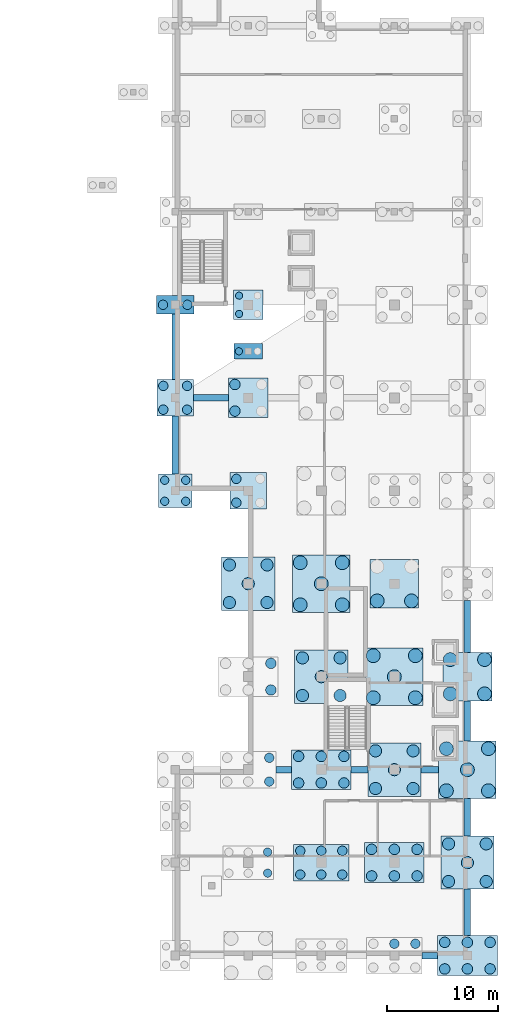
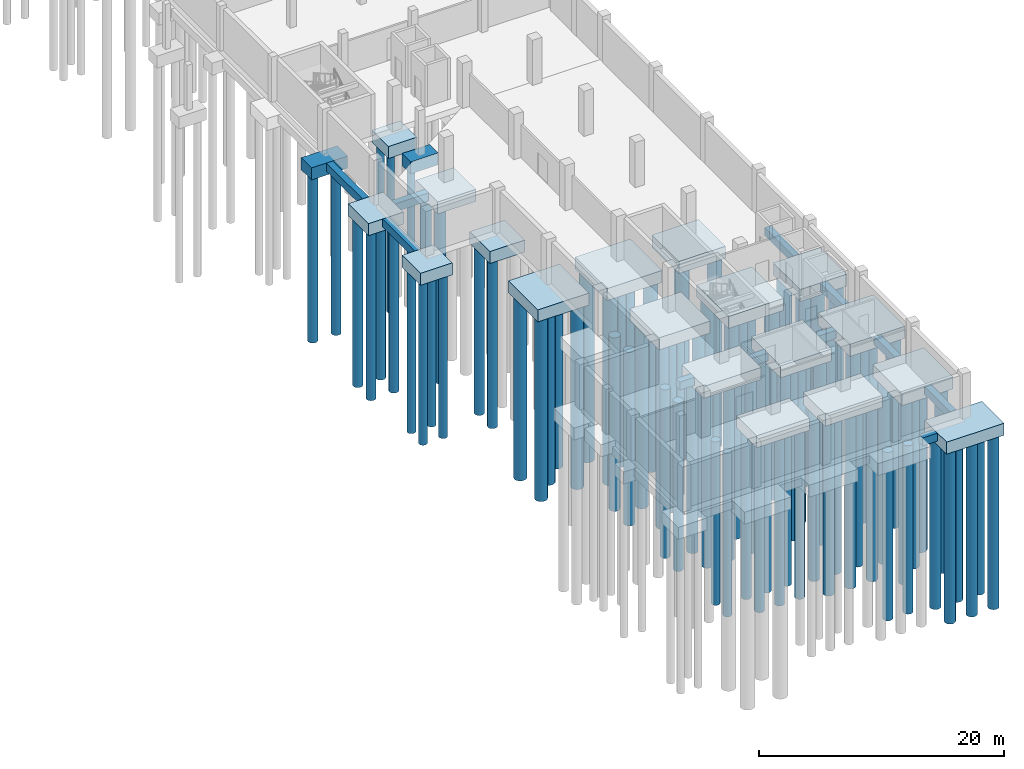
# One storey, part 6 of 25: 90 piles, 31 footings.
"""IFC4 building model written with IfcOpenShell, lengths in metres."""

from ifc_helpers import new_model, si_unit, direction, frame, origin, origin_2d, place, context, subcontext, project, spatial, rectangle, circle, extrude, material, layer, layer_set, material_profile, profile_set, type_object, element, save


model = new_model("IFC4")

# Units and contexts
model_context = context("Model", 3, precision=1e-05, world=origin(), true_north=direction((0.0, 1.0)))
body_context = subcontext(model_context, "Body", "Model", "MODEL_VIEW")
ifc_project = project(units=[si_unit("LENGTHUNIT", "METRE"), si_unit("AREAUNIT", "SQUARE_METRE"), si_unit("VOLUMEUNIT", "CUBIC_METRE"), si_unit("PLANEANGLEUNIT", "RADIAN"), si_unit("MASSUNIT", "GRAM", prefix="KILO")], contexts=[model_context])

# Site, building, storey
site_placement = place(None, origin())
site = spatial("IfcSite", under=ifc_project, at=site_placement, CompositionType="ELEMENT")
building_placement = place(site_placement, origin())
building = spatial("IfcBuilding", under=site, at=building_placement, Name="Qaldarim Faculty of Natural and Applied Sciences", CompositionType="ELEMENT")
storey_placement = place(building_placement, frame((0.0, 0.0, -4.5)))
storey = spatial("IfcBuildingStorey", under=building, at=storey_placement, Name="B01", CompositionType="ELEMENT", Elevation=-4.5)

# Piles
ifc_material = material(Name="Concrete C40/50", Category="concrete")
ifc_material_profile_1 = material_profile(ifc_material, circle(Radius=0.550048828125, at=origin_2d()), Name="PILE-D1100")
ifc_profile_set_1 = profile_set([ifc_material_profile_1], Name="Concrete C40/50")
pile_type_1 = type_object("IfcPileType", Name="BoredPile-D1100-L18300", PredefinedType="BORED", material=ifc_profile_set_1)
for number, where, z_axis, x_axis, name in (
    (1, (156.699951171875, 31.89990234375, -1.699951171875), (0.0, 0.0, -1.0), (1.0, 0.0, 0.0), "Bored pile PL05 1 under FTG-PC13-X25Y05"),
    (2, (156.699951171875, 35.300048828125, -1.699951171875), (0.0, 0.0, -1.0), (1.0, 0.0, 0.0), "Bored pile PL05 2 under FTG-PC13-X25Y05"),
    (3, (158.39990234375, 33.60009765625, -1.699951171875), (0.0, 0.0, -1.0), (1.0, 0.0, 0.0), "Bored pile PL05 3 under FTG-PC13-X25Y05"),
    (4, (160.10009765625, 31.89990234375, -1.699951171875), (0.0, 0.0, -1.0), (1.0, 0.0, 0.0), "Bored pile PL05 4 under FTG-PC13-X25Y05"),
    (5, (160.10009765625, 35.300048828125, -1.699951171875), (0.0, 0.0, -1.0), (1.0, 0.0, 0.0), "Bored pile PL05 5 under FTG-PC13-X25Y05"),
    (6, (163.300048828125, 23.5, -1.699951171875), (0.0, 0.0, -1.0), (1.0, 0.0, 0.0), "Bored pile PL05 1 under FTG-PC13-X26Y04"),
    (7, (163.300048828125, 26.89990234375, -1.699951171875), (0.0, 0.0, -1.0), (1.0, 0.0, 0.0), "Bored pile PL05 2 under FTG-PC13-X26Y04"),
    (8, (165.0, 25.199951171875, -1.699951171875), (0.0, 0.0, -1.0), (1.0, 0.0, 0.0), "Bored pile PL05 3 under FTG-PC13-X26Y04"),
    (9, (166.699951171875, 23.5, -1.699951171875), (0.0, 0.0, -1.0), (1.0, 0.0, 0.0), "Bored pile PL05 4 under FTG-PC13-X26Y04"),
    (10, (166.699951171875, 26.89990234375, -1.699951171875), (0.0, 0.0, -1.0), (1.0, 0.0, 0.0), "Bored pile PL05 5 under FTG-PC13-X26Y04"),
    (11, (169.89990234375, 15.10009765625, -1.699951171875), (0.0, 0.0, -1.0), (1.0, 0.0, 0.0), "Bored pile PL05 1 under FTG-PC13-X27Y03"),
    (12, (169.89990234375, 18.5, -1.699951171875), (0.0, 0.0, -1.0), (1.0, 0.0, 0.0), "Bored pile PL05 2 under FTG-PC13-X27Y03"),
    (13, (171.60009765625, 16.800048828125, -1.699951171875), (0.0, 0.0, -1.0), (1.0, 0.0, 0.0), "Bored pile PL05 3 under FTG-PC13-X27Y03"),
    (14, (173.300048828125, 15.10009765625, -1.699951171875), (0.0, 0.0, -1.0), (1.0, 0.0, 0.0), "Bored pile PL05 4 under FTG-PC13-X27Y03"),
    (15, (173.300048828125, 18.5, -1.699951171875), (0.0, 0.0, -1.0), (1.0, 0.0, 0.0), "Bored pile PL05 5 under FTG-PC13-X27Y03"),
    (16, (176.5, 6.699951171875, -1.699951171875), (0.0, 0.0, -1.0), (1.0, 0.0, 0.0), "Bored pile PL05 1 under FTG-PC13-X28Y02"),
    (17, (176.5, 10.10009765625, -1.699951171875), (0.0, 0.0, -1.0), (1.0, 0.0, 0.0), "Bored pile PL05 2 under FTG-PC13-X28Y02"),
    (18, (178.199951171875, 8.39990234375, -1.699951171875), (0.0, 0.0, -1.0), (1.0, 0.0, 0.0), "Bored pile PL05 3 under FTG-PC13-X28Y02"),
    (19, (179.89990234375, 6.699951171875, -1.699951171875), (0.0, 0.0, -1.0), (1.0, 0.0, 0.0), "Bored pile PL05 4 under FTG-PC13-X28Y02"),
    (20, (179.89990234375, 10.10009765625, -1.699951171875), (0.0, 0.0, -1.0), (1.0, 0.0, 0.0), "Bored pile PL05 5 under FTG-PC13-X28Y02"),
):
    element("IfcPile", number, at=place(storey_placement, frame(where, z_axis=z_axis, x_axis=x_axis)), inside=storey, type_object=pile_type_1, Name=name, PredefinedType="BORED", context=body_context, shape_type="SweptSolid", body=[
        extrude(circle(Radius=0.550048828125, at=origin_2d()), origin(), (0.0, 0.0, 1.0), 18.300048828125),
    ])
ifc_material_profile_2 = material_profile(ifc_material, circle(Radius=0.625, at=origin_2d()), Name="PILE-D1250")
ifc_profile_set_2 = profile_set([ifc_material_profile_2], Name="Concrete C40/50")
pile_type_2 = type_object("IfcPileType", Name="BoredPile-D1250-L18800", PredefinedType="BORED", material=ifc_profile_set_2)
for number, where, z_axis, x_axis, name in (
    (21, (163.10009765625, 31.699951171875, -1.699951171875), (0.0, 0.0, -1.0), (1.0, 0.0, 0.0), "Bored pile PL06 1 under FTG-PC14-X26Y05"),
    (22, (163.10009765625, 35.5, -1.699951171875), (0.0, 0.0, -1.0), (1.0, 0.0, 0.0), "Bored pile PL06 2 under FTG-PC14-X26Y05"),
    (23, (165.0, 33.60009765625, -1.699951171875), (0.0, 0.0, -1.0), (1.0, 0.0, 0.0), "Bored pile PL06 3 under FTG-PC14-X26Y05"),
    (24, (166.89990234375, 31.699951171875, -1.699951171875), (0.0, 0.0, -1.0), (1.0, 0.0, 0.0), "Bored pile PL06 4 under FTG-PC14-X26Y05"),
    (25, (166.89990234375, 35.5, -1.699951171875), (0.0, 0.0, -1.0), (1.0, 0.0, 0.0), "Bored pile PL06 5 under FTG-PC14-X26Y05"),
    (26, (169.699951171875, 23.300048828125, -1.699951171875), (0.0, 0.0, -1.0), (1.0, 0.0, 0.0), "Bored pile PL06 1 under FTG-PC14-X27Y04"),
    (27, (169.699951171875, 27.10009765625, -1.699951171875), (0.0, 0.0, -1.0), (1.0, 0.0, 0.0), "Bored pile PL06 2 under FTG-PC14-X27Y04"),
    (28, (171.60009765625, 25.199951171875, -1.699951171875), (0.0, 0.0, -1.0), (1.0, 0.0, 0.0), "Bored pile PL06 3 under FTG-PC14-X27Y04"),
    (29, (173.5, 23.300048828125, -1.699951171875), (0.0, 0.0, -1.0), (1.0, 0.0, 0.0), "Bored pile PL06 4 under FTG-PC14-X27Y04"),
    (30, (173.5, 27.10009765625, -1.699951171875), (0.0, 0.0, -1.0), (1.0, 0.0, 0.0), "Bored pile PL06 5 under FTG-PC14-X27Y04"),
    (31, (170.050048828125, 32.050048828125, -1.699951171875), (0.0, 0.0, -1.0), (1.0, 0.0, 0.0), "Bored pile PL06 1 under FTG-PC09-X27Y05"),
    (32, (173.14990234375, 32.050048828125, -1.699951171875), (0.0, 0.0, -1.0), (1.0, 0.0, 0.0), "Bored pile PL06 3 under FTG-PC09-X27Y05"),
    (33, (176.300048828125, 14.89990234375, -1.699951171875), (0.0, 0.0, -1.0), (1.0, 0.0, 0.0), "Bored pile PL06 1 under FTG-PC14-X28Y03"),
    (34, (176.300048828125, 18.699951171875, -1.699951171875), (0.0, 0.0, -1.0), (1.0, 0.0, 0.0), "Bored pile PL06 2 under FTG-PC14-X28Y03"),
    (35, (178.199951171875, 16.800048828125, -1.699951171875), (0.0, 0.0, -1.0), (1.0, 0.0, 0.0), "Bored pile PL06 3 under FTG-PC14-X28Y03"),
    (36, (180.10009765625, 14.89990234375, -1.699951171875), (0.0, 0.0, -1.0), (1.0, 0.0, 0.0), "Bored pile PL06 4 under FTG-PC14-X28Y03"),
    (37, (180.10009765625, 18.699951171875, -1.699951171875), (0.0, 0.0, -1.0), (1.0, 0.0, 0.0), "Bored pile PL06 5 under FTG-PC14-X28Y03"),
    (38, (176.64990234375, 23.64990234375, -1.699951171875), (0.0, 0.0, -1.0), (1.0, 0.0, 0.0), "Bored pile PL06 1 under FTG-PC09-X28Y04"),
    (39, (176.64990234375, 26.75, -1.699951171875), (0.0, 0.0, -1.0), (1.0, 0.0, 0.0), "Bored pile PL06 2 under FTG-PC09-X28Y04"),
    (40, (179.75, 23.64990234375, -1.699951171875), (0.0, 0.0, -1.0), (1.0, 0.0, 0.0), "Bored pile PL06 3 under FTG-PC09-X28Y04"),
    (41, (179.75, 26.75, -1.699951171875), (0.0, 0.0, -1.0), (1.0, 0.0, 0.0), "Bored pile PL06 4 under FTG-PC09-X28Y04"),
):
    element("IfcPile", number, at=place(storey_placement, frame(where, z_axis=z_axis, x_axis=x_axis)), inside=storey, type_object=pile_type_2, Name=name, PredefinedType="BORED", context=body_context, shape_type="SweptSolid", body=[
        extrude(circle(Radius=0.625, at=origin_2d()), origin(), (0.0, 0.0, 1.0), 18.800048828125),
    ])
ifc_material_profile_3 = material_profile(ifc_material, circle(Radius=0.324951171875, at=origin_2d()), Name="PILE-D650")
ifc_profile_set_3 = profile_set([ifc_material_profile_3], Name="Concrete C40/50")
pile_type_3 = type_object("IfcPileType", Name="BoredPile-D650-L15800", PredefinedType="BORED", material=ifc_profile_set_3)
for number, where, z_axis, x_axis, name in (
    (42, (157.574951171875, 57.97509765625, -1.699951171875), (0.0, 0.0, -1.0), (1.0, 0.0, 0.0), "Bored pile PL01 1 under FTG-PC04-X25Y08"),
    (43, (157.574951171875, 59.625, -1.699951171875), (0.0, 0.0, -1.0), (1.0, 0.0, 0.0), "Bored pile PL01 2 under FTG-PC04-X25Y08"),
    (44, (157.550048828125, 54.60009765625, -1.10009765625), (0.0, 0.0, -1.0), (1.0, 0.0, 0.0), "Bored pile PL01 1 under FTG-SPC-V5-NW6"),
):
    element("IfcPile", number, at=place(storey_placement, frame(where, z_axis=z_axis, x_axis=x_axis)), inside=storey, type_object=pile_type_3, Name=name, PredefinedType="BORED", context=body_context, shape_type="SweptSolid", body=[
        extrude(circle(Radius=0.324951171875, at=origin_2d()), origin(), (0.0, 0.0, 1.0), 15.800048828125),
    ])
ifc_material_profile_4 = material_profile(ifc_material, circle(Radius=0.375, at=origin_2d()), Name="PILE-D750")
ifc_profile_set_4 = profile_set([ifc_material_profile_4], Name="Concrete C40/50")
pile_type_4 = type_object("IfcPileType", Name="BoredPile-D750-L16300", PredefinedType="BORED", material=ifc_profile_set_4)
for number, where, z_axis, x_axis, name in (
    (45, (150.85009765625, 41.050048828125, -1.699951171875), (0.0, 0.0, -1.0), (1.0, 0.0, 0.0), "Bored pile PL02 1 under FTG-PC05-X24Y06"),
    (46, (150.85009765625, 42.949951171875, -1.699951171875), (0.0, 0.0, -1.0), (1.0, 0.0, 0.0), "Bored pile PL02 2 under FTG-PC05-X24Y06"),
    (47, (152.75, 41.050048828125, -1.699951171875), (0.0, 0.0, -1.0), (1.0, 0.0, 0.0), "Bored pile PL02 3 under FTG-PC05-X24Y06"),
    (48, (152.75, 42.949951171875, -1.699951171875), (0.0, 0.0, -1.0), (1.0, 0.0, 0.0), "Bored pile PL02 4 under FTG-PC05-X24Y06"),
    (49, (160.14990234375, 7.449951171875, -1.699951171875), (0.0, 0.0, -1.0), (1.0, 0.0, 0.0), "Bored pile PL02 3 under FTG-PC10-X25Y02"),
    (50, (160.14990234375, 9.35009765625, -1.699951171875), (0.0, 0.0, -1.0), (1.0, 0.0, 0.0), "Bored pile PL02 6 under FTG-PC10-X25Y02"),
):
    element("IfcPile", number, at=place(storey_placement, frame(where, z_axis=z_axis, x_axis=x_axis)), inside=storey, type_object=pile_type_4, Name=name, PredefinedType="BORED", context=body_context, shape_type="SweptSolid", body=[
        extrude(circle(Radius=0.375, at=origin_2d()), origin(), (0.0, 0.0, 1.0), 16.300048828125),
    ])
ifc_material_profile_5 = material_profile(ifc_material, circle(Radius=0.425048828125, at=origin_2d()), Name="PILE-D850")
ifc_profile_set_5 = profile_set([ifc_material_profile_5], Name="Concrete C40/50")
pile_type_5 = type_object("IfcPileType", Name="BoredPile-D850-L16800", PredefinedType="BORED", material=ifc_profile_set_5)
for number, where, z_axis, x_axis, name in (
    (51, (150.72509765625, 49.324951171875, -1.699951171875), (0.0, 0.0, -1.0), (1.0, 0.0, 0.0), "Bored pile PL03 1 under FTG-PC06-X24Y07"),
    (52, (150.72509765625, 51.47509765625, -1.699951171875), (0.0, 0.0, -1.0), (1.0, 0.0, 0.0), "Bored pile PL03 2 under FTG-PC06-X24Y07"),
    (53, (152.875, 49.324951171875, -1.699951171875), (0.0, 0.0, -1.0), (1.0, 0.0, 0.0), "Bored pile PL03 3 under FTG-PC06-X24Y07"),
    (54, (152.875, 51.47509765625, -1.699951171875), (0.0, 0.0, -1.0), (1.0, 0.0, 0.0), "Bored pile PL03 4 under FTG-PC06-X24Y07"),
    (55, (150.699951171875, 58.800048828125, -1.699951171875), (0.0, 0.0, -1.0), (1.0, 0.0, 0.0), "Bored pile PL03 1 under FTG-PC03-X24Y08"),
    (56, (152.89990234375, 58.800048828125, -1.699951171875), (0.0, 0.0, -1.0), (1.0, 0.0, 0.0), "Bored pile PL03 2 under FTG-PC03-X24Y08"),
    (57, (160.300048828125, 15.72509765625, -1.699951171875), (0.0, 0.0, -1.0), (1.0, 0.0, 0.0), "Bored pile PL03 3 under FTG-PC11-X25Y03"),
    (58, (160.300048828125, 17.875, -1.699951171875), (0.0, 0.0, -1.0), (1.0, 0.0, 0.0), "Bored pile PL03 6 under FTG-PC11-X25Y03"),
    (59, (157.324951171875, 40.925048828125, -1.699951171875), (0.0, 0.0, -1.0), (1.0, 0.0, 0.0), "Bored pile PL03 1 under FTG-PC06-X25Y06"),
    (60, (157.324951171875, 43.074951171875, -1.699951171875), (0.0, 0.0, -1.0), (1.0, 0.0, 0.0), "Bored pile PL03 2 under FTG-PC06-X25Y06"),
    (61, (163.10009765625, 7.324951171875, -1.699951171875), (0.0, 0.0, -1.0), (1.0, 0.0, 0.0), "Bored pile PL03 1 under FTG-PC11-X26Y02"),
    (62, (165.0, 7.324951171875, -1.699951171875), (0.0, 0.0, -1.0), (1.0, 0.0, 0.0), "Bored pile PL03 2 under FTG-PC11-X26Y02"),
    (63, (166.89990234375, 7.324951171875, -1.699951171875), (0.0, 0.0, -1.0), (1.0, 0.0, 0.0), "Bored pile PL03 3 under FTG-PC11-X26Y02"),
    (64, (163.10009765625, 9.47509765625, -1.699951171875), (0.0, 0.0, -1.0), (1.0, 0.0, 0.0), "Bored pile PL03 4 under FTG-PC11-X26Y02"),
    (65, (165.0, 9.47509765625, -1.699951171875), (0.0, 0.0, -1.0), (1.0, 0.0, 0.0), "Bored pile PL03 5 under FTG-PC11-X26Y02"),
    (66, (166.89990234375, 9.47509765625, -1.699951171875), (0.0, 0.0, -1.0), (1.0, 0.0, 0.0), "Bored pile PL03 6 under FTG-PC11-X26Y02"),
    (67, (171.60009765625, 1.074951171875, -1.699951171875), (0.0, 0.0, -1.0), (1.0, 0.0, 0.0), "Bored pile PL03 5 under FTG-PC11-X27Y01"),
    (68, (173.5, 1.074951171875, -1.699951171875), (0.0, 0.0, -1.0), (1.0, 0.0, 0.0), "Bored pile PL03 6 under FTG-PC11-X27Y01"),
):
    element("IfcPile", number, at=place(storey_placement, frame(where, z_axis=z_axis, x_axis=x_axis)), inside=storey, type_object=pile_type_5, Name=name, PredefinedType="BORED", context=body_context, shape_type="SweptSolid", body=[
        extrude(circle(Radius=0.425048828125, at=origin_2d()), origin(), (0.0, 0.0, 1.0), 16.800048828125),
    ])
ifc_material_profile_6 = material_profile(ifc_material, circle(Radius=0.47509765625, at=origin_2d()), Name="PILE-D950")
ifc_profile_set_6 = profile_set([ifc_material_profile_6], Name="Concrete C40/50")
pile_type_6 = type_object("IfcPileType", Name="BoredPile-D950-L17300", PredefinedType="BORED", material=ifc_profile_set_6)
for number, where, z_axis, x_axis, name in (
    (69, (160.449951171875, 24.0, -1.699951171875), (0.0, 0.0, -1.0), (1.0, 0.0, 0.0), "Bored pile PL04 3 under FTG-PC12-X25Y04"),
    (70, (160.449951171875, 26.39990234375, -1.699951171875), (0.0, 0.0, -1.0), (1.0, 0.0, 0.0), "Bored pile PL04 6 under FTG-PC12-X25Y04"),
    (71, (157.199951171875, 49.199951171875, -1.699951171875), (0.0, 0.0, -1.0), (1.0, 0.0, 0.0), "Bored pile PL04 1 under FTG-PC07-X25Y07"),
    (72, (157.199951171875, 51.60009765625, -1.699951171875), (0.0, 0.0, -1.0), (1.0, 0.0, 0.0), "Bored pile PL04 2 under FTG-PC07-X25Y07"),
    (73, (162.949951171875, 15.60009765625, -1.699951171875), (0.0, 0.0, -1.0), (1.0, 0.0, 0.0), "Bored pile PL04 1 under FTG-PC12-X26Y03"),
    (74, (165.0, 15.60009765625, -1.699951171875), (0.0, 0.0, -1.0), (1.0, 0.0, 0.0), "Bored pile PL04 2 under FTG-PC12-X26Y03"),
    (75, (167.050048828125, 15.60009765625, -1.699951171875), (0.0, 0.0, -1.0), (1.0, 0.0, 0.0), "Bored pile PL04 3 under FTG-PC12-X26Y03"),
    (76, (162.949951171875, 18.0, -1.699951171875), (0.0, 0.0, -1.0), (1.0, 0.0, 0.0), "Bored pile PL04 4 under FTG-PC12-X26Y03"),
    (77, (165.0, 18.0, -1.699951171875), (0.0, 0.0, -1.0), (1.0, 0.0, 0.0), "Bored pile PL04 5 under FTG-PC12-X26Y03"),
    (78, (167.050048828125, 18.0, -1.699951171875), (0.0, 0.0, -1.0), (1.0, 0.0, 0.0), "Bored pile PL04 6 under FTG-PC12-X26Y03"),
    (79, (169.550048828125, 7.199951171875, -1.699951171875), (0.0, 0.0, -1.0), (1.0, 0.0, 0.0), "Bored pile PL04 1 under FTG-PC12-X27Y02"),
    (80, (171.60009765625, 7.199951171875, -1.699951171875), (0.0, 0.0, -1.0), (1.0, 0.0, 0.0), "Bored pile PL04 2 under FTG-PC12-X27Y02"),
    (81, (173.64990234375, 7.199951171875, -1.699951171875), (0.0, 0.0, -1.0), (1.0, 0.0, 0.0), "Bored pile PL04 3 under FTG-PC12-X27Y02"),
    (82, (169.550048828125, 9.60009765625, -1.699951171875), (0.0, 0.0, -1.0), (1.0, 0.0, 0.0), "Bored pile PL04 4 under FTG-PC12-X27Y02"),
    (83, (171.60009765625, 9.60009765625, -1.699951171875), (0.0, 0.0, -1.0), (1.0, 0.0, 0.0), "Bored pile PL04 5 under FTG-PC12-X27Y02"),
    (84, (173.64990234375, 9.60009765625, -1.699951171875), (0.0, 0.0, -1.0), (1.0, 0.0, 0.0), "Bored pile PL04 6 under FTG-PC12-X27Y02"),
    (85, (176.14990234375, -1.199951171875, -1.699951171875), (0.0, 0.0, -1.0), (1.0, 0.0, 0.0), "Bored pile PL04 1 under FTG-PC12-X28Y01"),
    (86, (178.199951171875, -1.199951171875, -1.699951171875), (0.0, 0.0, -1.0), (1.0, 0.0, 0.0), "Bored pile PL04 2 under FTG-PC12-X28Y01"),
    (87, (180.25, -1.199951171875, -1.699951171875), (0.0, 0.0, -1.0), (1.0, 0.0, 0.0), "Bored pile PL04 3 under FTG-PC12-X28Y01"),
    (88, (176.14990234375, 1.199951171875, -1.699951171875), (0.0, 0.0, -1.0), (1.0, 0.0, 0.0), "Bored pile PL04 4 under FTG-PC12-X28Y01"),
    (89, (178.199951171875, 1.199951171875, -1.699951171875), (0.0, 0.0, -1.0), (1.0, 0.0, 0.0), "Bored pile PL04 5 under FTG-PC12-X28Y01"),
    (90, (180.25, 1.199951171875, -1.699951171875), (0.0, 0.0, -1.0), (1.0, 0.0, 0.0), "Bored pile PL04 6 under FTG-PC12-X28Y01"),
):
    element("IfcPile", number, at=place(storey_placement, frame(where, z_axis=z_axis, x_axis=x_axis)), inside=storey, type_object=pile_type_6, Name=name, PredefinedType="BORED", context=body_context, shape_type="SweptSolid", body=[
        extrude(circle(Radius=0.47509765625, at=origin_2d()), origin(), (0.0, 0.0, 1.0), 17.300048828125),
    ])

# Footings
ifc_layer_1 = layer(ifc_material, 1.199951171875)
ifc_layer_set_1 = layer_set([ifc_layer_1], Name="Concrete C40/50")
footing_type_1 = type_object("IfcFootingType", Name="FoundationCap-2600x1400x1200-2P650", PredefinedType="PILE_CAP", material=ifc_layer_set_1)
footing_1_placement = place(storey_placement, frame((158.39990234375, 54.60009765625, -1.2001953125), z_axis=(0.0, 0.0, 1.0), x_axis=(1.0, 0.0, 0.0)))
element("IfcFooting", 91, at=footing_1_placement, inside=storey, type_object=footing_type_1, Name="Pile cap V5-NW6", PredefinedType="PILE_CAP", context=body_context, shape_type="SweptSolid", body=[
    extrude(rectangle(XDim=2.60009765625, YDim=1.39990234375, at=origin_2d()), origin(), (0.0, 0.0, 1.0), 1.199951171875),
])
ifc_layer_2 = layer(ifc_material, 1.199951171875)
ifc_layer_set_2 = layer_set([ifc_layer_2], Name="Concrete C40/50")
footing_type_2 = type_object("IfcFootingType", Name="FoundationCap-2700x2700x1200-4P650", PredefinedType="PILE_CAP", material=ifc_layer_set_2)
footing_2_placement = place(storey_placement, frame((158.39990234375, 58.800048828125, -1.7998046875), z_axis=(0.0, 0.0, 1.0), x_axis=(1.0, 0.0, 0.0)))
element("IfcFooting", 92, at=footing_2_placement, inside=storey, type_object=footing_type_2, Name="Pile cap PC04 at X25/Y08", PredefinedType="PILE_CAP", context=body_context, shape_type="SweptSolid", body=[
    extrude(rectangle(XDim=2.699951171875, YDim=2.699951171875, at=origin_2d()), origin(), (0.0, 0.0, 1.0), 1.199951171875),
])
ifc_layer_3 = layer(ifc_material, 1.199951171875)
ifc_layer_set_3 = layer_set([ifc_layer_3], Name="Concrete C40/50")
footing_type_3 = type_object("IfcFootingType", Name="FoundationCap-3000x3000x1200-4P750", PredefinedType="PILE_CAP", material=ifc_layer_set_3)
footing_3_placement = place(storey_placement, frame((151.800048828125, 42.0, -1.7998046875), z_axis=(0.0, 0.0, 1.0), x_axis=(1.0, 0.0, 0.0)))
element("IfcFooting", 93, at=footing_3_placement, inside=storey, type_object=footing_type_3, Name="Pile cap PC05 at X24/Y06", PredefinedType="PILE_CAP", context=body_context, shape_type="SweptSolid", body=[
    extrude(rectangle(XDim=3.0, YDim=3.0, at=origin_2d()), origin(), (0.0, 0.0, 1.0), 1.199951171875),
])
ifc_layer_4 = layer(ifc_material, 1.199951171875)
ifc_layer_set_4 = layer_set([ifc_layer_4], Name="Concrete C40/50")
footing_type_4 = type_object("IfcFootingType", Name="FoundationCap-3300x3300x1200-4P850", PredefinedType="PILE_CAP", material=ifc_layer_set_4)
for number, where, z_axis, x_axis, name in (
    (94, (151.800048828125, 50.39990234375, -1.7998046875), (0.0, 0.0, 1.0), (1.0, 0.0, 0.0), "Pile cap PC06 at X24/Y07"),
    (95, (158.39990234375, 42.0, -1.7998046875), (0.0, 0.0, 1.0), (1.0, 0.0, 0.0), "Pile cap PC06 at X25/Y06"),
):
    element("IfcFooting", number, at=place(storey_placement, frame(where, z_axis=z_axis, x_axis=x_axis)), inside=storey, type_object=footing_type_4, Name=name, PredefinedType="PILE_CAP", context=body_context, shape_type="SweptSolid", body=[
        extrude(rectangle(XDim=3.300048828125, YDim=3.300048828125, at=origin_2d()), origin(), (0.0, 0.0, 1.0), 1.199951171875),
    ])
ifc_layer_5 = layer(ifc_material, 1.199951171875)
ifc_layer_set_5 = layer_set([ifc_layer_5], Name="Concrete C40/50")
footing_type_5 = type_object("IfcFootingType", Name="FoundationCap-3400x1700x1200-2P850", PredefinedType="PILE_CAP", material=ifc_layer_set_5)
footing_4_placement = place(storey_placement, frame((151.800048828125, 58.800048828125, -1.7998046875), z_axis=(0.0, 0.0, 1.0), x_axis=(1.0, 0.0, 0.0)))
element("IfcFooting", 96, at=footing_4_placement, inside=storey, type_object=footing_type_5, Name="Pile cap PC03 at X24/Y08", PredefinedType="PILE_CAP", context=body_context, shape_type="SweptSolid", body=[
    extrude(rectangle(XDim=3.39990234375, YDim=1.699951171875, at=origin_2d()), origin(), (0.0, 0.0, 1.0), 1.199951171875),
])
ifc_layer_6 = layer(ifc_material, 1.199951171875)
ifc_layer_set_6 = layer_set([ifc_layer_6], Name="Concrete C40/50")
footing_type_6 = type_object("IfcFootingType", Name="FoundationCap-3600x3600x1200-4P950", PredefinedType="PILE_CAP", material=ifc_layer_set_6)
footing_5_placement = place(storey_placement, frame((158.39990234375, 50.39990234375, -1.7998046875), z_axis=(0.0, 0.0, 1.0), x_axis=(1.0, 0.0, 0.0)))
element("IfcFooting", 97, at=footing_5_placement, inside=storey, type_object=footing_type_6, Name="Pile cap PC07 at X25/Y07", PredefinedType="PILE_CAP", context=body_context, shape_type="SweptSolid", body=[
    extrude(rectangle(XDim=3.60009765625, YDim=3.60009765625, at=origin_2d()), origin(), (0.0, 0.0, 1.0), 1.199951171875),
])
ifc_layer_7 = layer(ifc_material, 1.199951171875)
ifc_layer_set_7 = layer_set([ifc_layer_7], Name="Concrete C40/50")
footing_type_7 = type_object("IfcFootingType", Name="FoundationCap-4400x4400x1200-4P1250", PredefinedType="PILE_CAP", material=ifc_layer_set_7)
for number, where, z_axis, x_axis, name in (
    (98, (171.60009765625, 33.60009765625, -1.7998046875), (0.0, 0.0, 1.0), (1.0, 0.0, 0.0), "Pile cap PC09 at X27/Y05"),
    (99, (178.199951171875, 25.199951171875, -1.7998046875), (0.0, 0.0, 1.0), (1.0, 0.0, 0.0), "Pile cap PC09 at X28/Y04"),
):
    element("IfcFooting", number, at=place(storey_placement, frame(where, z_axis=z_axis, x_axis=x_axis)), inside=storey, type_object=footing_type_7, Name=name, PredefinedType="PILE_CAP", context=body_context, shape_type="SweptSolid", body=[
        extrude(rectangle(XDim=4.39990234375, YDim=4.39990234375, at=origin_2d()), origin(), (0.0, 0.0, 1.0), 1.199951171875),
    ])
ifc_layer_8 = layer(ifc_material, 1.199951171875)
ifc_layer_set_8 = layer_set([ifc_layer_8], Name="Concrete C40/50")
footing_type_8 = type_object("IfcFootingType", Name="FoundationCap-4800x4800x1200-5P1100", PredefinedType="PILE_CAP", material=ifc_layer_set_8)
for number, where, z_axis, x_axis, name in (
    (100, (158.39990234375, 33.60009765625, -1.7998046875), (0.0, 0.0, 1.0), (1.0, 0.0, 0.0), "Pile cap PC13 at X25/Y05"),
    (101, (165.0, 25.199951171875, -1.7998046875), (0.0, 0.0, 1.0), (1.0, 0.0, 0.0), "Pile cap PC13 at X26/Y04"),
    (102, (171.60009765625, 16.800048828125, -1.7998046875), (0.0, 0.0, 1.0), (1.0, 0.0, 0.0), "Pile cap PC13 at X27/Y03"),
    (103, (178.199951171875, 8.39990234375, -1.7998046875), (0.0, 0.0, 1.0), (1.0, 0.0, 0.0), "Pile cap PC13 at X28/Y02"),
):
    element("IfcFooting", number, at=place(storey_placement, frame(where, z_axis=z_axis, x_axis=x_axis)), inside=storey, type_object=footing_type_8, Name=name, PredefinedType="PILE_CAP", context=body_context, shape_type="SweptSolid", body=[
        extrude(rectangle(XDim=4.800048828125, YDim=4.800048828125, at=origin_2d()), origin(), (0.0, 0.0, 1.0), 1.199951171875),
    ])
ifc_layer_9 = layer(ifc_material, 1.199951171875)
ifc_layer_set_9 = layer_set([ifc_layer_9], Name="Concrete C40/50")
footing_type_9 = type_object("IfcFootingType", Name="FoundationCap-5000x3300x1200-6P850", PredefinedType="PILE_CAP", material=ifc_layer_set_9)
footing_6_placement = place(storey_placement, frame((165.0, 8.39990234375, -1.7998046875), z_axis=(0.0, 0.0, 1.0), x_axis=(1.0, 0.0, 0.0)))
element("IfcFooting", 104, at=footing_6_placement, inside=storey, type_object=footing_type_9, Name="Pile cap PC11 at X26/Y02", PredefinedType="PILE_CAP", context=body_context, shape_type="SweptSolid", body=[
    extrude(rectangle(XDim=5.0, YDim=3.300048828125, at=origin_2d()), origin(), (0.0, 0.0, 1.0), 1.199951171875),
])
ifc_layer_10 = layer(ifc_material, 1.199951171875)
ifc_layer_set_10 = layer_set([ifc_layer_10], Name="Concrete C40/50")
footing_type_10 = type_object("IfcFootingType", Name="FoundationCap-5200x5200x1200-5P1250", PredefinedType="PILE_CAP", material=ifc_layer_set_10)
for number, where, z_axis, x_axis, name in (
    (105, (165.0, 33.60009765625, -1.7998046875), (0.0, 0.0, 1.0), (1.0, 0.0, 0.0), "Pile cap PC14 at X26/Y05"),
    (106, (171.60009765625, 25.199951171875, -1.7998046875), (0.0, 0.0, 1.0), (1.0, 0.0, 0.0), "Pile cap PC14 at X27/Y04"),
    (107, (178.199951171875, 16.800048828125, -1.7998046875), (0.0, 0.0, 1.0), (1.0, 0.0, 0.0), "Pile cap PC14 at X28/Y03"),
):
    element("IfcFooting", number, at=place(storey_placement, frame(where, z_axis=z_axis, x_axis=x_axis)), inside=storey, type_object=footing_type_10, Name=name, PredefinedType="PILE_CAP", context=body_context, shape_type="SweptSolid", body=[
        extrude(rectangle(XDim=5.199951171875, YDim=5.199951171875, at=origin_2d()), origin(), (0.0, 0.0, 1.0), 1.199951171875),
    ])
ifc_layer_11 = layer(ifc_material, 1.199951171875)
ifc_layer_set_11 = layer_set([ifc_layer_11], Name="Concrete C40/50")
footing_type_11 = type_object("IfcFootingType", Name="FoundationCap-5400x3600x1200-6P950", PredefinedType="PILE_CAP", material=ifc_layer_set_11)
for number, where, z_axis, x_axis, name in (
    (108, (165.0, 16.800048828125, -1.7998046875), (0.0, 0.0, 1.0), (1.0, 0.0, 0.0), "Pile cap PC12 at X26/Y03"),
    (109, (171.60009765625, 8.39990234375, -1.7998046875), (0.0, 0.0, 1.0), (1.0, 0.0, 0.0), "Pile cap PC12 at X27/Y02"),
    (110, (178.199951171875, 0.0, -1.7998046875), (0.0, 0.0, 1.0), (1.0, 0.0, 0.0), "Pile cap PC12 at X28/Y01"),
):
    element("IfcFooting", number, at=place(storey_placement, frame(where, z_axis=z_axis, x_axis=x_axis)), inside=storey, type_object=footing_type_11, Name=name, PredefinedType="PILE_CAP", context=body_context, shape_type="SweptSolid", body=[
        extrude(rectangle(XDim=5.39990234375, YDim=3.60009765625, at=origin_2d()), origin(), (0.0, 0.0, 1.0), 1.199951171875),
    ])
ifc_layer_12 = layer(ifc_material, 0.800048828125)
ifc_layer_set_12 = layer_set([ifc_layer_12], Name="Concrete C40/50")
footing_type_12 = type_object("IfcFootingType", Name="FoundationTie-1400x600x800", PredefinedType="STRIP_FOOTING", material=ifc_layer_set_12)
for number, where, z_axis, x_axis, name in (
    (111, (161.60009765625, 16.800048828125, -1.39990234375), (0.0, 0.0, 1.0), (1.0, 0.0, 0.0), "Strip footing SF23 X25Y03"),
    (112, (174.800048828125, 0.0, -1.39990234375), (0.0, 0.0, 1.0), (1.0, 0.0, 0.0), "Strip footing SF23 X27Y01"),
):
    element("IfcFooting", number, at=place(storey_placement, frame(where, z_axis=z_axis, x_axis=x_axis)), inside=storey, type_object=footing_type_12, Name=name, PredefinedType="STRIP_FOOTING", context=body_context, shape_type="SweptSolid", body=[
        extrude(rectangle(XDim=1.39990234375, YDim=0.60009765625, at=origin_2d()), origin(), (0.0, 0.0, 1.0), 0.800048828125),
    ])
ifc_layer_13 = layer(ifc_material, 0.800048828125)
ifc_layer_set_13 = layer_set([ifc_layer_13], Name="Concrete C40/50")
footing_type_13 = type_object("IfcFootingType", Name="FoundationTie-1500x600x800", PredefinedType="STRIP_FOOTING", material=ifc_layer_set_13)
footing_7_placement = place(storey_placement, frame((168.449951171875, 16.800048828125, -1.39990234375), z_axis=(0.0, 0.0, 1.0), x_axis=(1.0, 0.0, 0.0)))
element("IfcFooting", 113, at=footing_7_placement, inside=storey, type_object=footing_type_13, Name="Strip footing SF25 X26Y03", PredefinedType="STRIP_FOOTING", context=body_context, shape_type="SweptSolid", body=[
    extrude(rectangle(XDim=1.5, YDim=0.60009765625, at=origin_2d()), origin(), (0.0, 0.0, 1.0), 0.800048828125),
])
ifc_layer_14 = layer(ifc_material, 0.800048828125)
ifc_layer_set_14 = layer_set([ifc_layer_14], Name="Concrete C40/50")
footing_type_14 = type_object("IfcFootingType", Name="FoundationTie-1600x600x800", PredefinedType="STRIP_FOOTING", material=ifc_layer_set_14)
footing_8_placement = place(storey_placement, frame((174.800048828125, 16.800048828125, -1.39990234375), z_axis=(0.0, 0.0, 1.0), x_axis=(1.0, 0.0, 0.0)))
element("IfcFooting", 114, at=footing_8_placement, inside=storey, type_object=footing_type_14, Name="Strip footing SF26 X27Y03", PredefinedType="STRIP_FOOTING", context=body_context, shape_type="SweptSolid", body=[
    extrude(rectangle(XDim=1.60009765625, YDim=0.60009765625, at=origin_2d()), origin(), (0.0, 0.0, 1.0), 0.800048828125),
])
ifc_layer_15 = layer(ifc_material, 0.800048828125)
ifc_layer_set_15 = layer_set([ifc_layer_15], Name="Concrete C40/50")
footing_type_15 = type_object("IfcFootingType", Name="FoundationTie-3150x600x800", PredefinedType="STRIP_FOOTING", material=ifc_layer_set_15)
footing_9_placement = place(storey_placement, frame((155.02490234375, 50.39990234375, -1.39990234375), z_axis=(0.0, 0.0, 1.0), x_axis=(1.0, 0.0, 0.0)))
element("IfcFooting", 115, at=footing_9_placement, inside=storey, type_object=footing_type_15, Name="Strip footing SF11 X24Y07", PredefinedType="STRIP_FOOTING", context=body_context, shape_type="SweptSolid", body=[
    extrude(rectangle(XDim=3.14990234375, YDim=0.60009765625, at=origin_2d()), origin(), (0.0, 0.0, 1.0), 0.800048828125),
])
ifc_layer_16 = layer(ifc_material, 0.800048828125)
ifc_layer_set_16 = layer_set([ifc_layer_16], Name="Concrete C40/50")
footing_type_16 = type_object("IfcFootingType", Name="FoundationTie-3400x600x800", PredefinedType="STRIP_FOOTING", material=ifc_layer_set_16)
footing_10_placement = place(storey_placement, frame((178.199951171875, 12.5, -1.39990234375), z_axis=(0.0, 0.0, 1.0), x_axis=(0.0, 1.0, 0.0)))
element("IfcFooting", 116, at=footing_10_placement, inside=storey, type_object=footing_type_16, Name="Strip footing SF08 X28Y02", PredefinedType="STRIP_FOOTING", context=body_context, shape_type="SweptSolid", body=[
    extrude(rectangle(XDim=3.39990234375, YDim=0.60009765625, at=origin_2d()), origin(), (0.0, 0.0, 1.0), 0.800048828125),
])
ifc_layer_17 = layer(ifc_material, 0.800048828125)
ifc_layer_set_17 = layer_set([ifc_layer_17], Name="Concrete C40/50")
footing_type_17 = type_object("IfcFootingType", Name="FoundationTie-3600x600x800", PredefinedType="STRIP_FOOTING", material=ifc_layer_set_17)
footing_11_placement = place(storey_placement, frame((178.199951171875, 21.199951171875, -1.39990234375), z_axis=(0.0, 0.0, 1.0), x_axis=(0.0, 1.0, 0.0)))
element("IfcFooting", 117, at=footing_11_placement, inside=storey, type_object=footing_type_17, Name="Strip footing SF16 X28Y03", PredefinedType="STRIP_FOOTING", context=body_context, shape_type="SweptSolid", body=[
    extrude(rectangle(XDim=3.60009765625, YDim=0.60009765625, at=origin_2d()), origin(), (0.0, 0.0, 1.0), 0.800048828125),
])
ifc_layer_18 = layer(ifc_material, 0.800048828125)
ifc_layer_set_18 = layer_set([ifc_layer_18], Name="Concrete C40/50")
footing_type_18 = type_object("IfcFootingType", Name="FoundationTie-4200x600x800", PredefinedType="STRIP_FOOTING", material=ifc_layer_set_18)
footing_12_placement = place(storey_placement, frame((178.199951171875, 3.89990234375, -1.39990234375), z_axis=(0.0, 0.0, 1.0), x_axis=(0.0, 1.0, 0.0)))
element("IfcFooting", 118, at=footing_12_placement, inside=storey, type_object=footing_type_18, Name="Strip footing SF27 X28Y01", PredefinedType="STRIP_FOOTING", context=body_context, shape_type="SweptSolid", body=[
    extrude(rectangle(XDim=4.199951171875, YDim=0.60009765625, at=origin_2d()), origin(), (0.0, 0.0, 1.0), 0.800048828125),
])
ifc_layer_19 = layer(ifc_material, 0.800048828125)
ifc_layer_set_19 = layer_set([ifc_layer_19], Name="Concrete C40/50")
footing_type_19 = type_object("IfcFootingType", Name="FoundationTie-4700x600x800", PredefinedType="STRIP_FOOTING", material=ifc_layer_set_19)
footing_13_placement = place(storey_placement, frame((178.199951171875, 29.75, -1.39990234375), z_axis=(0.0, 0.0, 1.0), x_axis=(0.0, 1.0, 0.0)))
element("IfcFooting", 119, at=footing_13_placement, inside=storey, type_object=footing_type_19, Name="Strip footing SF28 X28Y04", PredefinedType="STRIP_FOOTING", context=body_context, shape_type="SweptSolid", body=[
    extrude(rectangle(XDim=4.699951171875, YDim=0.60009765625, at=origin_2d()), origin(), (0.0, 0.0, 1.0), 0.800048828125),
])
ifc_layer_20 = layer(ifc_material, 0.800048828125)
ifc_layer_set_20 = layer_set([ifc_layer_20], Name="Concrete C40/50")
footing_type_20 = type_object("IfcFootingType", Name="FoundationTie-5250x600x800", PredefinedType="STRIP_FOOTING", material=ifc_layer_set_20)
footing_14_placement = place(storey_placement, frame((151.800048828125, 46.125, -1.39990234375), z_axis=(0.0, 0.0, 1.0), x_axis=(0.0, 1.0, 0.0)))
element("IfcFooting", 120, at=footing_14_placement, inside=storey, type_object=footing_type_20, Name="Strip footing SF20 X24Y06", PredefinedType="STRIP_FOOTING", context=body_context, shape_type="SweptSolid", body=[
    extrude(rectangle(XDim=5.25, YDim=0.60009765625, at=origin_2d()), origin(), (0.0, 0.0, 1.0), 0.800048828125),
])
ifc_layer_21 = layer(ifc_material, 0.800048828125)
ifc_layer_set_21 = layer_set([ifc_layer_21], Name="Concrete C40/50")
footing_type_21 = type_object("IfcFootingType", Name="FoundationTie-5900x600x800", PredefinedType="STRIP_FOOTING", material=ifc_layer_set_21)
footing_15_placement = place(storey_placement, frame((151.800048828125, 55.0, -1.39990234375), z_axis=(0.0, 0.0, 1.0), x_axis=(0.0, 1.0, 0.0)))
element("IfcFooting", 121, at=footing_15_placement, inside=storey, type_object=footing_type_21, Name="Strip footing SF21 X24Y07", PredefinedType="STRIP_FOOTING", context=body_context, shape_type="SweptSolid", body=[
    extrude(rectangle(XDim=5.89990234375, YDim=0.60009765625, at=origin_2d()), origin(), (0.0, 0.0, 1.0), 0.800048828125),
])

save(model, "model.ifc")
